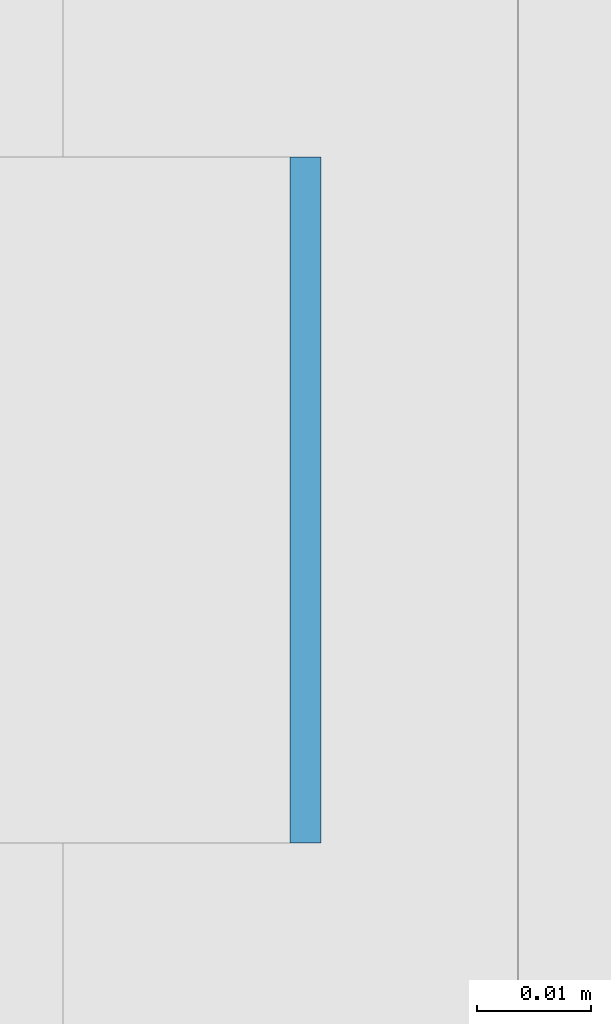
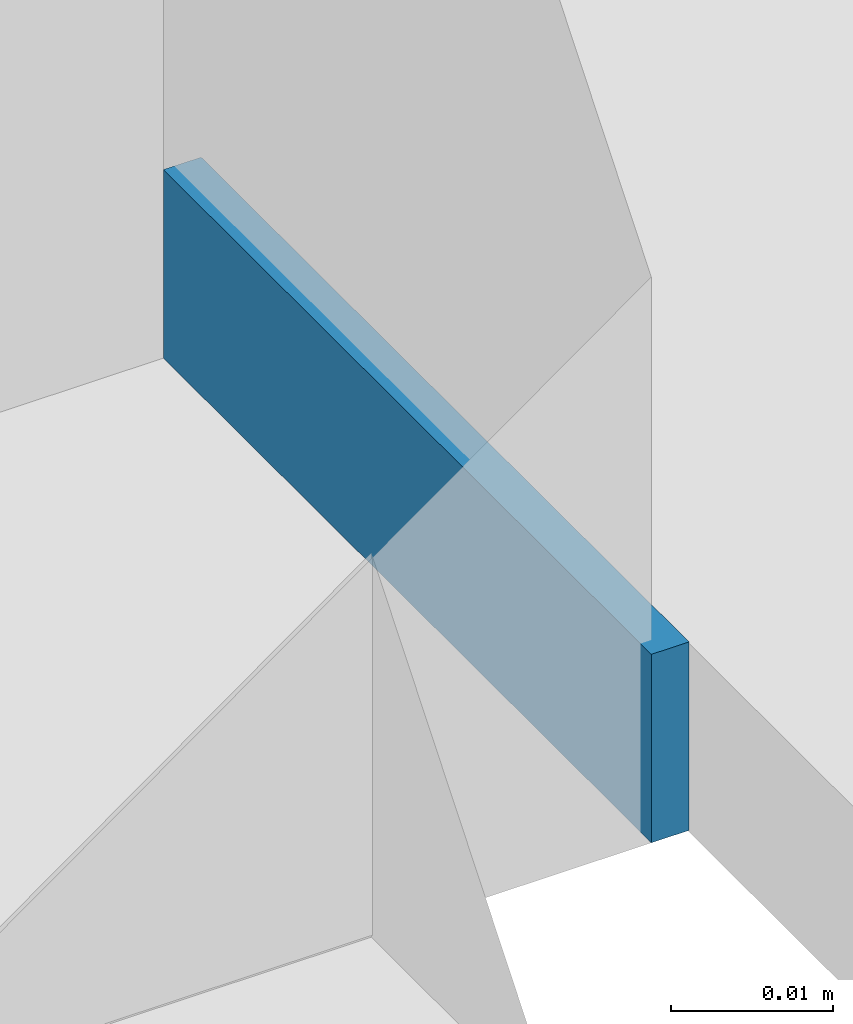
# One storey, part 338 of 646: 1 discrete accessory.
"""IFC4 building model written with IfcOpenShell, lengths in metres."""

from ifc_helpers import new_model, si_unit, direction, frame, origin, origin_2d, place, context, subcontext, project, spatial, rectangle, extrude, material, type_object, element, save


model = new_model("IFC4")

# Units and contexts
model_context = context("Model", 3, precision=1e-05, world=origin(), true_north=direction((0.0, 1.0)))
body_context = subcontext(model_context, "Body", "Model", "MODEL_VIEW")
ifc_project = project(units=[si_unit("LENGTHUNIT", "METRE"), si_unit("AREAUNIT", "SQUARE_METRE"), si_unit("VOLUMEUNIT", "CUBIC_METRE"), si_unit("PLANEANGLEUNIT", "RADIAN"), si_unit("MASSUNIT", "GRAM", prefix="KILO")], contexts=[model_context])

# Site, building, storey
site_placement = place(None, origin())
site = spatial("IfcSite", under=ifc_project, at=site_placement, CompositionType="ELEMENT")
building_placement = place(site_placement, origin())
building = spatial("IfcBuilding", under=site, at=building_placement, Name="Silverbay Arena", CompositionType="ELEMENT")
storey_placement = place(building_placement, frame((0.0, 0.0, 33.5)))
storey = spatial("IfcBuildingStorey", under=building, at=storey_placement, Name="L05", CompositionType="ELEMENT", Elevation=33.5)

# Discrete accessory
ifc_material = material(Name="Steel S355", Category="steel")
discrete_accessory_type = type_object("IfcDiscreteAccessoryType", Name="Steel bracket plate", PredefinedType="BRACKET", material=ifc_material)
discrete_accessory_placement = place(storey_placement, frame((53.871337890625, 83.571533203125, 4.0), z_axis=(0.0, 0.0, 1.0), x_axis=(1.0, 0.0, 0.0)))
element("IfcDiscreteAccessory", 1, at=discrete_accessory_placement, inside=storey, type_object=discrete_accessory_type, Name="Curtain wall packing plate", PredefinedType="BRACKET", context=body_context, shape_type="SweptSolid", body=[
    extrude(rectangle(XDim=0.002685546875, YDim=0.06005859375, at=origin_2d()), origin(), (0.0, 0.0, 1.0), 0.01416015625),
])

save(model, "model.ifc")
